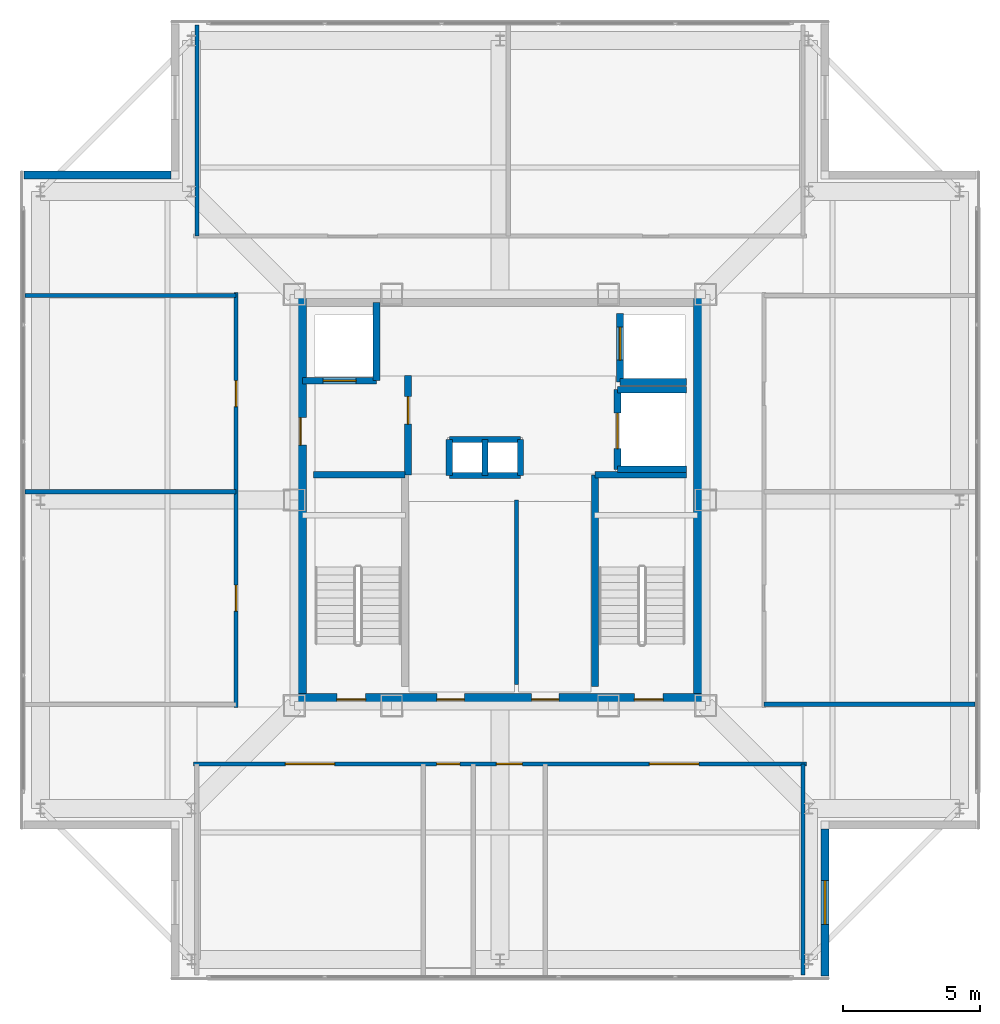
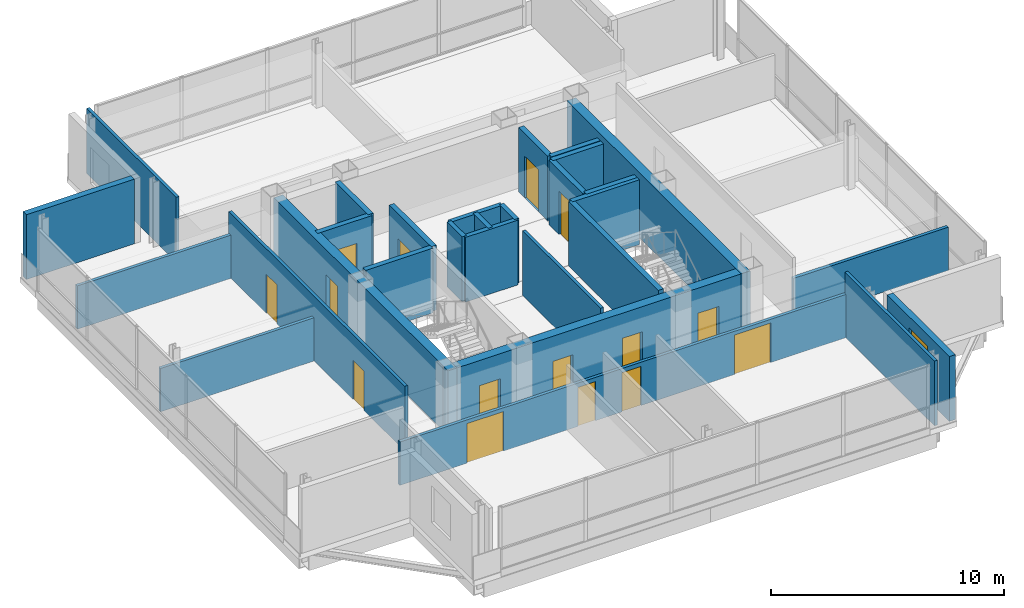
# One storey, part 9 of 12: 29 walls, 15 doors, 1 window, 16 openings.
"""IFC4 building model written with IfcOpenShell, lengths in metres."""

from ifc_helpers import new_model, si_unit, direction, frame, frame_2d, origin, place, context, subcontext, project, spatial, rectangle, extrude, material, layer, layer_set, type_object, element, fill, save


model = new_model("IFC4")

# Units and contexts
model_context = context("Model", 3, precision=1e-05, world=origin(), true_north=direction((0.0, 1.0)))
body_context = subcontext(model_context, "Body", "Model", "MODEL_VIEW")
ifc_project = project(units=[si_unit("LENGTHUNIT", "METRE"), si_unit("AREAUNIT", "SQUARE_METRE"), si_unit("VOLUMEUNIT", "CUBIC_METRE"), si_unit("PLANEANGLEUNIT", "RADIAN"), si_unit("MASSUNIT", "GRAM", prefix="KILO")], contexts=[model_context])

# Site, building, storey
site_placement = place(None, origin())
site = spatial("IfcSite", under=ifc_project, at=site_placement, CompositionType="ELEMENT")
building_placement = place(site_placement, origin())
building = spatial("IfcBuilding", under=site, at=building_placement, Name="Trevonay Congress Spire", CompositionType="ELEMENT")
storey_placement = place(building_placement, frame((0.0, 0.0, 304.60009765625)))
storey = spatial("IfcBuildingStorey", under=building, at=storey_placement, Name="L80", CompositionType="ELEMENT", Elevation=304.60009765625)

# Wall, openings, doors
ifc_material_1 = material(Name="Concrete C50/60", Category="concrete")
ifc_layer_1 = layer(ifc_material_1, 0.449951171875, Name="Concrete C50/60")
ifc_layer_set_1 = layer_set([ifc_layer_1], Name="Concrete C50/60")
wall_type_1 = type_object("IfcWallType", Name="WAL-CORE-450", PredefinedType="SHEAR", material=ifc_layer_set_1)
wall_1_placement = place(storey_placement, frame((-7.5, -7.27490234375, 0.0), z_axis=(0.0, 0.0, 1.0), x_axis=(1.0, 0.0, 0.0)))
wall_1 = element("IfcWall", 1, at=wall_1_placement, inside=storey, type_object=wall_type_1, Name="L80 South structural core shear wall", PredefinedType="SHEAR", context=body_context, shape_type="SweptSolid", body=[
    extrude(rectangle(XDim=15.0, YDim=0.449951171875, at=frame_2d((7.5, 0.0))), origin(), (0.0, 0.0, 1.0), 3.39990234375),
])
opening_1_placement = place(wall_1_placement, frame((1.550048828125, 0.0, 0.0)))
opening_1 = element("IfcOpeningElement", 2, at=opening_1_placement, cuts=wall_1, Name="Opening D05", PredefinedType="OPENING", context=body_context, shape_type="SweptSolid", body=[
    extrude(rectangle(XDim=1.050048828125, YDim=2.080078125, at=frame_2d((0.52490234375, 1.0400390625))), frame((0.0, 0.23486328125, 0.0), z_axis=(0.0, -1.0, 0.0), x_axis=(1.0, 0.0, 0.0)), (0.0, 0.0, 1.0), 0.469970703125),
])
opening_2_placement = place(wall_1_placement, frame((12.39990234375, 0.0, 0.0)))
opening_2 = element("IfcOpeningElement", 3, at=opening_2_placement, cuts=wall_1, Name="Opening D05", PredefinedType="OPENING", context=body_context, shape_type="SweptSolid", body=[
    extrude(rectangle(XDim=1.050048828125, YDim=2.080078125, at=frame_2d((0.52490234375, 1.0400390625))), frame((0.0, 0.23486328125, 0.0), z_axis=(0.0, -1.0, 0.0), x_axis=(1.0, 0.0, 0.0)), (0.0, 0.0, 1.0), 0.469970703125),
])
opening_3_placement = place(wall_1_placement, frame((5.199951171875, 0.0, 0.0)))
opening_3 = element("IfcOpeningElement", 4, at=opening_3_placement, cuts=wall_1, Name="Opening D06", PredefinedType="OPENING", context=body_context, shape_type="SweptSolid", body=[
    extrude(rectangle(XDim=1.0, YDim=2.080078125, at=frame_2d((0.5, 1.0400390625))), frame((0.0, 0.23486328125, 0.0), z_axis=(0.0, -1.0, 0.0), x_axis=(1.0, 0.0, 0.0)), (0.0, 0.0, 1.0), 0.469970703125),
])
opening_4_placement = place(wall_1_placement, frame((8.64990234375, 0.0, 0.0)))
opening_4 = element("IfcOpeningElement", 5, at=opening_4_placement, cuts=wall_1, Name="Opening D06", PredefinedType="OPENING", context=body_context, shape_type="SweptSolid", body=[
    extrude(rectangle(XDim=1.0, YDim=2.080078125, at=frame_2d((0.5, 1.0400390625))), frame((0.0, 0.23486328125, 0.0), z_axis=(0.0, -1.0, 0.0), x_axis=(1.0, 0.0, 0.0)), (0.0, 0.0, 1.0), 0.469970703125),
])
ifc_material_2 = material(Name="Steel ASTM A572 Grade 50", Category="steel")
door_type_1 = type_object("IfcDoorType", Name="DOR-FIRE-100", OperationType="NOTDEFINED", PredefinedType="DOOR", material=ifc_material_2)
door_1_placement = place(opening_3_placement, origin())
door_1 = element("IfcDoor", 6, at=door_1_placement, inside=storey, type_object=door_type_1, Name="L80 South Core Room 1 Door", OperationType="SINGLE_SWING_LEFT", OverallHeight=2.080078125, OverallWidth=1.0, PredefinedType="DOOR", context=body_context, shape_type="SweptSolid", body=[
    extrude(rectangle(XDim=1.0, YDim=2.080078125, at=frame_2d((0.5, 1.0400390625))), frame((0.0, 0.02490234375, 0.0), z_axis=(0.0, -1.0, 0.0), x_axis=(1.0, 0.0, 0.0)), (0.0, 0.0, 1.0), 0.050048828125),
])
fill(opening_3, door_1)
door_2_placement = place(opening_4_placement, origin())
door_2 = element("IfcDoor", 7, at=door_2_placement, inside=storey, type_object=door_type_1, Name="L80 South Core Room 2 Door", OperationType="SINGLE_SWING_RIGHT", OverallHeight=2.080078125, OverallWidth=1.0, PredefinedType="DOOR", context=body_context, shape_type="SweptSolid", body=[
    extrude(rectangle(XDim=1.0, YDim=2.080078125, at=frame_2d((0.5, 1.0400390625))), frame((0.0, 0.02490234375, 0.0), z_axis=(0.0, -1.0, 0.0), x_axis=(1.0, 0.0, 0.0)), (0.0, 0.0, 1.0), 0.050048828125),
])
fill(opening_4, door_2)
door_type_2 = type_object("IfcDoorType", Name="DOR-STAIR-110", OperationType="NOTDEFINED", PredefinedType="DOOR", material=ifc_material_2)
door_3_placement = place(opening_1_placement, origin())
door_3 = element("IfcDoor", 8, at=door_3_placement, inside=storey, type_object=door_type_2, Name="L80 Protected Stair ST-1 Door", OperationType="SINGLE_SWING_RIGHT", OverallHeight=2.080078125, OverallWidth=1.050048828125, PredefinedType="DOOR", context=body_context, shape_type="SweptSolid", body=[
    extrude(rectangle(XDim=1.050048828125, YDim=2.080078125, at=frame_2d((0.52490234375, 1.0400390625))), frame((0.0, 0.02490234375, 0.0), z_axis=(0.0, -1.0, 0.0), x_axis=(1.0, 0.0, 0.0)), (0.0, 0.0, 1.0), 0.050048828125),
])
fill(opening_1, door_3)
door_4_placement = place(opening_2_placement, origin())
door_4 = element("IfcDoor", 9, at=door_4_placement, inside=storey, type_object=door_type_2, Name="L80 Protected Stair ST-2 Door", OperationType="SINGLE_SWING_LEFT", OverallHeight=2.080078125, OverallWidth=1.050048828125, PredefinedType="DOOR", context=body_context, shape_type="SweptSolid", body=[
    extrude(rectangle(XDim=1.050048828125, YDim=2.080078125, at=frame_2d((0.52490234375, 1.0400390625))), frame((0.0, 0.02490234375, 0.0), z_axis=(0.0, -1.0, 0.0), x_axis=(1.0, 0.0, 0.0)), (0.0, 0.0, 1.0), 0.050048828125),
])
fill(opening_2, door_4)

# Wall, opening, door
wall_2_placement = place(storey_placement, frame((-7.27490234375, -7.5, 0.0), z_axis=(0.0, 0.0, 1.0), x_axis=(0.0, 1.0, 0.0)))
wall_2 = element("IfcWall", 10, at=wall_2_placement, inside=storey, type_object=wall_type_1, Name="L80 West structural core shear wall", PredefinedType="SHEAR", context=body_context, shape_type="SweptSolid", body=[
    extrude(rectangle(XDim=15.0, YDim=0.449951171875, at=frame_2d((7.5, 0.0))), origin(), (0.0, 0.0, 1.0), 3.39990234375),
])
opening_5_placement = place(wall_2_placement, frame((9.5, 0.0, 0.0)))
opening_5 = element("IfcOpeningElement", 11, at=opening_5_placement, cuts=wall_2, Name="Opening D06", PredefinedType="OPENING", context=body_context, shape_type="SweptSolid", body=[
    extrude(rectangle(XDim=1.0, YDim=2.080078125, at=frame_2d((0.5, 1.0400390625))), frame((0.0, 0.23486328125, 0.0), z_axis=(0.0, -1.0, 0.0), x_axis=(1.0, 0.0, 0.0)), (0.0, 0.0, 1.0), 0.469970703125),
])
door_5_placement = place(opening_5_placement, origin())
door_5 = element("IfcDoor", 12, at=door_5_placement, inside=storey, type_object=door_type_1, Name="L80 Firefighting Lift Lobby West Corridor Door", OperationType="SINGLE_SWING_RIGHT", OverallHeight=2.080078125, OverallWidth=1.0, PredefinedType="DOOR", context=body_context, shape_type="SweptSolid", body=[
    extrude(rectangle(XDim=1.0, YDim=2.080078125, at=frame_2d((0.5, 1.0400390625))), frame((0.0, 0.02490234375, 0.0), z_axis=(0.0, -1.0, 0.0), x_axis=(1.0, 0.0, 0.0)), (0.0, 0.0, 1.0), 0.050048828125),
])
fill(opening_5, door_5)

# Wall
wall_3_placement = place(storey_placement, frame((7.27490234375, -7.5, 0.0), z_axis=(0.0, 0.0, 1.0), x_axis=(0.0, 1.0, 0.0)))
element("IfcWall", 13, at=wall_3_placement, inside=storey, type_object=wall_type_1, Name="L80 East structural core shear wall", PredefinedType="SHEAR", context=body_context, shape_type="SweptSolid", body=[
    extrude(rectangle(XDim=15.0, YDim=0.449951171875, at=frame_2d((7.5, 0.0))), origin(), (0.0, 0.0, 1.0), 3.39990234375),
])

# Wall, openings, doors
ifc_material_3 = material(Name="Concrete C40/50", Category="concrete")
ifc_layer_2 = layer(ifc_material_3, 0.14990234375, Name="Concrete C40/50")
ifc_layer_set_2 = layer_set([ifc_layer_2], Name="Concrete C40/50")
wall_type_2 = type_object("IfcWallType", Name="WAL-CORR-150", PredefinedType="PARTITIONING", material=ifc_layer_set_2)
wall_4_placement = place(storey_placement, frame((-11.169921875, -9.6201171875, 0.0), z_axis=(0.0, 0.0, 1.0), x_axis=(1.0, 0.0, 0.0)))
wall_4 = element("IfcWall", 14, at=wall_4_placement, inside=storey, type_object=wall_type_2, Name="L80 interior wall WP-L80S-COR", PredefinedType="PARTITIONING", context=body_context, shape_type="SweptSolid", body=[
    extrude(rectangle(XDim=22.33984375, YDim=0.14990234375, at=frame_2d((11.169921875, 0.0))), origin(), (0.0, 0.0, 1.0), 2.27490234375),
])
opening_6_placement = place(wall_4_placement, frame((3.344970703125, 0.0, 0.0)))
opening_6 = element("IfcOpeningElement", 15, at=opening_6_placement, cuts=wall_4, Name="Opening D09", PredefinedType="OPENING", context=body_context, shape_type="SweptSolid", body=[
    extrude(rectangle(XDim=1.800048828125, YDim=2.080078125, at=frame_2d((0.89990234375, 1.0400390625))), frame((0.0, 0.0849609375, 0.0), z_axis=(0.0, -1.0, 0.0), x_axis=(1.0, 0.0, 0.0)), (0.0, 0.0, 1.0), 0.169921875),
])
opening_7_placement = place(wall_4_placement, frame((8.860107421875, 0.0, 0.0)))
opening_7 = element("IfcOpeningElement", 16, at=opening_7_placement, cuts=wall_4, Name="Opening D10", PredefinedType="OPENING", context=body_context, shape_type="SweptSolid", body=[
    extrude(rectangle(XDim=0.85009765625, YDim=2.050048828125, at=frame_2d((0.425048828125, 1.02490234375))), frame((0.0, 0.0849609375, 0.0), z_axis=(0.0, -1.0, 0.0), x_axis=(1.0, 0.0, 0.0)), (0.0, 0.0, 1.0), 0.169921875),
])
opening_8_placement = place(wall_4_placement, frame((11.034912109375, 0.0, 0.0)))
opening_8 = element("IfcOpeningElement", 17, at=opening_8_placement, cuts=wall_4, Name="Opening D07", PredefinedType="OPENING", context=body_context, shape_type="SweptSolid", body=[
    extrude(rectangle(XDim=0.949951171875, YDim=2.06005859375, at=frame_2d((0.47509765625, 1.030029296875))), frame((0.0, 0.0849609375, 0.0), z_axis=(0.0, -1.0, 0.0), x_axis=(1.0, 0.0, 0.0)), (0.0, 0.0, 1.0), 0.169921875),
])
opening_9_placement = place(wall_4_placement, frame((16.6201171875, 0.0, 0.0)))
opening_9 = element("IfcOpeningElement", 18, at=opening_9_placement, cuts=wall_4, Name="Opening D09", PredefinedType="OPENING", context=body_context, shape_type="SweptSolid", body=[
    extrude(rectangle(XDim=1.800048828125, YDim=2.080078125, at=frame_2d((0.89990234375, 1.0400390625))), frame((0.0, 0.0849609375, 0.0), z_axis=(0.0, -1.0, 0.0), x_axis=(1.0, 0.0, 0.0)), (0.0, 0.0, 1.0), 0.169921875),
])
ifc_material_4 = material(Name="Pale Anodised Aluminium EN AW-6063-T6", Category="aluminium")
door_type_3 = type_object("IfcDoorType", Name="DOR-CONF-DBL", OperationType="DOUBLE_DOOR_SINGLE_SWING", PredefinedType="DOOR", material=ifc_material_4)
door_6_placement = place(opening_6_placement, origin())
door_6 = element("IfcDoor", 19, at=door_6_placement, inside=storey, type_object=door_type_3, Name="L80 Sky Observatory Salon South Door", OperationType="DOUBLE_DOOR_SINGLE_SWING", OverallHeight=2.080078125, OverallWidth=1.800048828125, PredefinedType="DOOR", context=body_context, shape_type="SweptSolid", body=[
    extrude(rectangle(XDim=1.800048828125, YDim=2.080078125, at=frame_2d((0.89990234375, 1.0400390625))), frame((0.0, 0.02490234375, 0.0), z_axis=(0.0, -1.0, 0.0), x_axis=(1.0, 0.0, 0.0)), (0.0, 0.0, 1.0), 0.050048828125),
])
fill(opening_6, door_6)
door_7_placement = place(opening_9_placement, origin())
door_7 = element("IfcDoor", 20, at=door_7_placement, inside=storey, type_object=door_type_3, Name="L80 Crown Cocktail Bar Door", OperationType="DOUBLE_DOOR_SINGLE_SWING", OverallHeight=2.080078125, OverallWidth=1.800048828125, PredefinedType="DOOR", context=body_context, shape_type="SweptSolid", body=[
    extrude(rectangle(XDim=1.800048828125, YDim=2.080078125, at=frame_2d((0.89990234375, 1.0400390625))), frame((0.0, 0.02490234375, 0.0), z_axis=(0.0, -1.0, 0.0), x_axis=(1.0, 0.0, 0.0)), (0.0, 0.0, 1.0), 0.050048828125),
])
fill(opening_9, door_7)
door_type_4 = type_object("IfcDoorType", Name="DOR-OFFICE-95", OperationType="NOTDEFINED", PredefinedType="DOOR", material=ifc_material_4)
door_8_placement = place(opening_8_placement, origin())
door_8 = element("IfcDoor", 21, at=door_8_placement, inside=storey, type_object=door_type_4, Name="L80 Floor Supplies and Copy Room Door", OperationType="SINGLE_SWING_LEFT", OverallHeight=2.06005859375, OverallWidth=0.949951171875, PredefinedType="DOOR", context=body_context, shape_type="SweptSolid", body=[
    extrude(rectangle(XDim=0.949951171875, YDim=2.06005859375, at=frame_2d((0.47509765625, 1.030029296875))), frame((0.0, 0.02490234375, 0.0), z_axis=(0.0, -1.0, 0.0), x_axis=(1.0, 0.0, 0.0)), (0.0, 0.0, 1.0), 0.050048828125),
])
fill(opening_8, door_8)
door_type_5 = type_object("IfcDoorType", Name="DOR-WC-85", OperationType="NOTDEFINED", PredefinedType="DOOR", material=ifc_material_4)
door_9_placement = place(opening_7_placement, origin())
door_9 = element("IfcDoor", 22, at=door_9_placement, inside=storey, type_object=door_type_5, Name="L80 Accessible WC Door", OperationType="SINGLE_SWING_RIGHT", OverallHeight=2.050048828125, OverallWidth=0.85009765625, PredefinedType="DOOR", context=body_context, shape_type="SweptSolid", body=[
    extrude(rectangle(XDim=0.85009765625, YDim=2.050048828125, at=frame_2d((0.425048828125, 1.02490234375))), frame((0.0, 0.02490234375, 0.0), z_axis=(0.0, -1.0, 0.0), x_axis=(1.0, 0.0, 0.0)), (0.0, 0.0, 1.0), 0.050048828125),
])
fill(opening_7, door_9)

wall_5_placement = place(storey_placement, frame((-9.6201171875, -7.570068359375, 0.0), z_axis=(0.0, 0.0, 1.0), x_axis=(0.0, 1.0, 0.0)))
wall_5 = element("IfcWall", 23, at=wall_5_placement, inside=storey, type_object=wall_type_2, Name="L80 interior wall WP-L80W-COR", PredefinedType="PARTITIONING", context=body_context, shape_type="SweptSolid", body=[
    extrude(rectangle(XDim=15.14013671875, YDim=0.14990234375, at=frame_2d((7.570068359375, 0.0))), origin(), (0.0, 0.0, 1.0), 3.39990234375),
])
opening_10_placement = place(wall_5_placement, frame((3.52001953125, 0.0, 0.0)))
opening_10 = element("IfcOpeningElement", 24, at=opening_10_placement, cuts=wall_5, Name="Opening D07", PredefinedType="OPENING", context=body_context, shape_type="SweptSolid", body=[
    extrude(rectangle(XDim=0.949951171875, YDim=2.06005859375, at=frame_2d((0.47509765625, 1.030029296875))), frame((0.0, 0.0849609375, 0.0), z_axis=(0.0, -1.0, 0.0), x_axis=(1.0, 0.0, 0.0)), (0.0, 0.0, 1.0), 0.169921875),
])
opening_11_placement = place(wall_5_placement, frame((10.969970703125, 0.0, 0.0)))
opening_11 = element("IfcOpeningElement", 25, at=opening_11_placement, cuts=wall_5, Name="Opening D07", PredefinedType="OPENING", context=body_context, shape_type="SweptSolid", body=[
    extrude(rectangle(XDim=0.949951171875, YDim=2.06005859375, at=frame_2d((0.47509765625, 1.030029296875))), frame((0.0, 0.0849609375, 0.0), z_axis=(0.0, -1.0, 0.0), x_axis=(1.0, 0.0, 0.0)), (0.0, 0.0, 1.0), 0.169921875),
])
door_10_placement = place(opening_10_placement, origin())
door_10 = element("IfcDoor", 26, at=door_10_placement, inside=storey, type_object=door_type_4, Name="L80 VIP Summit Reception Suite Door", OperationType="SINGLE_SWING_LEFT", OverallHeight=2.06005859375, OverallWidth=0.949951171875, PredefinedType="DOOR", context=body_context, shape_type="SweptSolid", body=[
    extrude(rectangle(XDim=0.949951171875, YDim=2.06005859375, at=frame_2d((0.47509765625, 1.030029296875))), frame((0.0, 0.02490234375, 0.0), z_axis=(0.0, -1.0, 0.0), x_axis=(1.0, 0.0, 0.0)), (0.0, 0.0, 1.0), 0.050048828125),
])
fill(opening_10, door_10)
door_11_placement = place(opening_11_placement, origin())
door_11 = element("IfcDoor", 27, at=door_11_placement, inside=storey, type_object=door_type_4, Name="L80 Catering Finishing Kitchen Door", OperationType="SINGLE_SWING_RIGHT", OverallHeight=2.06005859375, OverallWidth=0.949951171875, PredefinedType="DOOR", context=body_context, shape_type="SweptSolid", body=[
    extrude(rectangle(XDim=0.949951171875, YDim=2.06005859375, at=frame_2d((0.47509765625, 1.030029296875))), frame((0.0, 0.02490234375, 0.0), z_axis=(0.0, -1.0, 0.0), x_axis=(1.0, 0.0, 0.0)), (0.0, 0.0, 1.0), 0.050048828125),
])
fill(opening_11, door_11)

# Wall, opening, window
ifc_material_5 = material(Name="Precast concrete C40/50", Category="concrete")
ifc_layer_3 = layer(ifc_material_5, 0.300048828125, Name="Precast concrete C40/50")
ifc_layer_set_3 = layer_set([ifc_layer_3], Name="Precast concrete C40/50")
wall_type_3 = type_object("IfcWallType", Name="WAL-EXT-PRECAST-300", PredefinedType="SOLIDWALL", material=ifc_layer_set_3)
wall_6_placement = place(storey_placement, frame((11.85009765625, -17.35009765625, 0.0), z_axis=(0.0, 0.0, 1.0), x_axis=(0.0, 1.0, 0.0)))
wall_6 = element("IfcWall", 28, at=wall_6_placement, inside=storey, type_object=wall_type_3, Name="L80 SE re-entrant notch exterior wall 1", PredefinedType="SOLIDWALL", context=body_context, shape_type="SweptSolid", body=[
    extrude(rectangle(XDim=5.35009765625, YDim=0.300048828125, at=frame_2d((2.675048828125, 0.0))), origin(), (0.0, 0.0, 1.0), 3.39990234375),
])
opening_12_placement = place(wall_6_placement, frame((1.875, 0.0, 0.89990234375)))
opening_12 = element("IfcOpeningElement", 29, at=opening_12_placement, cuts=wall_6, Name="Opening WN04", PredefinedType="OPENING", context=body_context, shape_type="SweptSolid", body=[
    extrude(rectangle(XDim=1.60009765625, YDim=1.89990234375, at=frame_2d((0.800048828125, 0.949951171875))), frame((0.0, 0.16015625, 0.0), z_axis=(0.0, -1.0, 0.0), x_axis=(1.0, 0.0, 0.0)), (0.0, 0.0, 1.0), 0.320068359375),
])
ifc_material_6 = material(Name="Insulated Low-E Vision Glass IGU", Category="glass")
window_type = type_object("IfcWindowType", Name="WIN-CROWN-160X190", PartitioningType="SINGLE_PANEL", PredefinedType="WINDOW", material=ifc_material_6)
window_placement = place(opening_12_placement, origin())
window = element("IfcWindow", 30, at=window_placement, inside=storey, type_object=window_type, Name="L80 SE corner notch window", OverallHeight=1.89990234375, OverallWidth=1.60009765625, PartitioningType="SINGLE_PANEL", PredefinedType="WINDOW", context=body_context, shape_type="SweptSolid", body=[
    extrude(rectangle(XDim=1.60009765625, YDim=1.89990234375, at=frame_2d((0.800048828125, 0.949951171875))), frame((0.0, 0.030029296875, 0.0), z_axis=(0.0, -1.0, 0.0), x_axis=(1.0, 0.0, 0.0)), (0.0, 0.0, 1.0), 0.06005859375),
])
fill(opening_12, window)

# Walls
wall_7_placement = place(storey_placement, frame((-17.35009765625, 11.85009765625, 0.0), z_axis=(0.0, 0.0, 1.0), x_axis=(1.0, 0.0, 0.0)))
element("IfcWall", 31, at=wall_7_placement, inside=storey, type_object=wall_type_3, Name="L80 NW re-entrant notch exterior wall 2", PredefinedType="SOLIDWALL", context=body_context, shape_type="SweptSolid", body=[
    extrude(rectangle(XDim=5.35009765625, YDim=0.300048828125, at=frame_2d((2.675048828125, 0.0))), origin(), (0.0, 0.0, 1.0), 3.39990234375),
])
ifc_layer_4 = layer(ifc_material_3, 0.14990234375, Name="Concrete C40/50")
ifc_layer_set_4 = layer_set([ifc_layer_4], Name="Concrete C40/50")
wall_type_4 = type_object("IfcWallType", Name="WAL-PART-150", PredefinedType="PARTITIONING", material=ifc_layer_set_4)
wall_8_placement = place(storey_placement, frame((0.60009765625, -6.719970703125, 0.0), z_axis=(0.0, 0.0, 1.0), x_axis=(0.0, 1.0, 0.0)))
element("IfcWall", 32, at=wall_8_placement, inside=storey, type_object=wall_type_4, Name="L80 interior wall CW-F1V-L80", PredefinedType="PARTITIONING", context=body_context, shape_type="SweptSolid", body=[
    extrude(rectangle(XDim=6.719970703125, YDim=0.14990234375, at=frame_2d((3.35986328125, 0.0))), origin(), (0.0, 0.0, 1.0), 3.39990234375),
])
for number, where, z_axis, x_axis, name in (
    (33, (11.050048828125, -17.320068359375, 0.0), (0.0, 0.0, 1.0), (0.0, 1.0, 0.0), "L80 interior wall WP-L80S-DIV4"),
    (34, (-11.050048828125, 9.6201171875, 0.0), (0.0, 0.0, 1.0), (0.0, 1.0, 0.0), "L80 interior wall WP-L80N-DIV1"),
):
    element("IfcWall", number, at=place(storey_placement, frame(where, z_axis=z_axis, x_axis=x_axis)), inside=storey, type_object=wall_type_4, Name=name, PredefinedType="PARTITIONING", context=body_context, shape_type="SweptSolid", body=[
        extrude(rectangle(XDim=7.699951171875, YDim=0.14990234375, at=frame_2d((3.85009765625, 0.0))), origin(), (0.0, 0.0, 1.0), 3.39990234375),
    ])
for number, where, z_axis, x_axis, name in (
    (35, (-17.320068359375, 0.300048828125, 0.0), (0.0, 0.0, 1.0), (1.0, 0.0, 0.0), "L80 interior wall WP-L80W-DIV2"),
    (36, (-17.320068359375, 7.449951171875, 0.0), (0.0, 0.0, 1.0), (1.0, 0.0, 0.0), "L80 interior wall WP-L80W-DIV3"),
):
    element("IfcWall", number, at=place(storey_placement, frame(where, z_axis=z_axis, x_axis=x_axis)), inside=storey, type_object=wall_type_4, Name=name, PredefinedType="PARTITIONING", context=body_context, shape_type="SweptSolid", body=[
        extrude(rectangle(XDim=7.699951171875, YDim=0.14990234375, at=frame_2d((3.85009765625, 0.0))), origin(), (0.0, 0.0, 1.0), 2.27490234375),
    ])
ifc_layer_5 = layer(ifc_material_3, 0.219970703125, Name="Concrete C40/50")
ifc_layer_set_5 = layer_set([ifc_layer_5], Name="Concrete C40/50")
wall_type_5 = type_object("IfcWallType", Name="WAL-SHAFT-220", PredefinedType="PARTITIONING", material=ifc_layer_set_5)
for number, where, z_axis, x_axis, name in (
    (37, (-1.85009765625, 2.199951171875, 0.0), (0.0, 0.0, 1.0), (1.0, 0.0, 0.0), "L80 interior shaft wall WSH-L80-RSR-N"),
    (38, (-1.85009765625, 0.89990234375, 0.0), (0.0, 0.0, 1.0), (1.0, 0.0, 0.0), "L80 interior shaft wall WSH-L80-RSR-S"),
):
    element("IfcWall", number, at=place(storey_placement, frame(where, z_axis=z_axis, x_axis=x_axis)), inside=storey, type_object=wall_type_5, Name=name, PredefinedType="PARTITIONING", context=body_context, shape_type="SweptSolid", body=[
        extrude(rectangle(XDim=2.60009765625, YDim=0.219970703125, at=frame_2d((1.300048828125, 0.0))), origin(), (0.0, 0.0, 1.0), 3.39990234375),
    ])
for number, where, z_axis, x_axis, name in (
    (39, (-0.550048828125, 0.89990234375, 0.0), (0.0, 0.0, 1.0), (0.0, 1.0, 0.0), "L80 interior shaft wall WSH-L80-RSR-M"),
    (40, (0.75, 0.89990234375, 0.0), (0.0, 0.0, 1.0), (0.0, 1.0, 0.0), "L80 interior shaft wall WSH-L80-RSR-E"),
    (41, (-1.85009765625, 0.89990234375, 0.0), (0.0, 0.0, 1.0), (0.0, 1.0, 0.0), "L80 interior shaft wall WSH-L80-RSR-W"),
):
    element("IfcWall", number, at=place(storey_placement, frame(where, z_axis=z_axis, x_axis=x_axis)), inside=storey, type_object=wall_type_5, Name=name, PredefinedType="PARTITIONING", context=body_context, shape_type="SweptSolid", body=[
        extrude(rectangle(XDim=1.300048828125, YDim=0.219970703125, at=frame_2d((0.64990234375, 0.0))), origin(), (0.0, 0.0, 1.0), 3.39990234375),
    ])

# Wall, opening, door
ifc_layer_6 = layer(ifc_material_3, 0.25, Name="Concrete C40/50")
ifc_layer_set_6 = layer_set([ifc_layer_6], Name="Concrete C40/50")
wall_type_6 = type_object("IfcWallType", Name="WAL-SHAFT-250", PredefinedType="SHEAR", material=ifc_layer_set_6)
wall_9_placement = place(storey_placement, frame((-7.199951171875, 4.35009765625, 0.0), z_axis=(0.0, 0.0, 1.0), x_axis=(1.0, 0.0, 0.0)))
wall_9 = element("IfcWall", 42, at=wall_9_placement, inside=storey, type_object=wall_type_6, Name="L80 interior shaft wall WSH-L80-FF1-S", PredefinedType="SHEAR", context=body_context, shape_type="SweptSolid", body=[
    extrude(rectangle(XDim=2.699951171875, YDim=0.25, at=frame_2d((1.35009765625, 0.0))), origin(), (0.0, 0.0, 1.0), 3.39990234375),
])
opening_13_placement = place(wall_9_placement, frame((0.75, 0.0, 0.0)))
opening_13 = element("IfcOpeningElement", 43, at=opening_13_placement, cuts=wall_9, Name="Opening LD04", PredefinedType="OPENING", context=body_context, shape_type="SweptSolid", body=[
    extrude(rectangle(XDim=1.199951171875, YDim=2.199951171875, at=frame_2d((0.60009765625, 1.10009765625))), frame((0.0, 0.135009765625, 0.0), z_axis=(0.0, -1.0, 0.0), x_axis=(1.0, 0.0, 0.0)), (0.0, 0.0, 1.0), 0.27001953125),
])
door_type_6 = type_object("IfcDoorType", Name="DOR-LIFT-LD04", OperationType="DOUBLE_DOOR_SLIDING", PredefinedType="DOOR", material=ifc_material_2)
door_12_placement = place(opening_13_placement, origin())
door_12 = element("IfcDoor", 44, at=door_12_placement, inside=storey, type_object=door_type_6, Name="L80 Firefighting lift FFL-01 landing door", OperationType="DOUBLE_DOOR_SLIDING", OverallHeight=2.199951171875, OverallWidth=1.199951171875, PredefinedType="DOOR", context=body_context, shape_type="SweptSolid", body=[
    extrude(rectangle(XDim=1.199951171875, YDim=2.199951171875, at=frame_2d((0.60009765625, 1.10009765625))), frame((0.0, 0.02490234375, 0.0), z_axis=(0.0, -1.0, 0.0), x_axis=(1.0, 0.0, 0.0)), (0.0, 0.0, 1.0), 0.050048828125),
])
fill(opening_13, door_12)

# Walls
wall_10_placement = place(storey_placement, frame((-4.5, 4.35009765625, 0.0), z_axis=(0.0, 0.0, 1.0), x_axis=(0.0, 1.0, 0.0)))
element("IfcWall", 45, at=wall_10_placement, inside=storey, type_object=wall_type_6, Name="L80 interior shaft wall WSH-L80-FF1-E", PredefinedType="SHEAR", context=body_context, shape_type="SweptSolid", body=[
    extrude(rectangle(XDim=2.849853515625, YDim=0.25, at=frame_2d((1.4248046875, 0.0))), origin(), (0.0, 0.0, 1.0), 3.39990234375),
])
wall_11_placement = place(storey_placement, frame((4.3798828125, 4.300048828125, 0.0), z_axis=(0.0, 0.0, 1.0), x_axis=(1.0, 0.0, 0.0)))
element("IfcWall", 46, at=wall_11_placement, inside=storey, type_object=wall_type_6, Name="L80 interior shaft wall WSH-L80-FF2-S", PredefinedType="SHEAR", context=body_context, shape_type="SweptSolid", body=[
    extrude(rectangle(XDim=2.420166015625, YDim=0.25, at=frame_2d((1.2099609375, 0.0))), origin(), (0.0, 0.0, 1.0), 3.39990234375),
])

# Wall, opening, door
wall_12_placement = place(storey_placement, frame((4.3798828125, 4.300048828125, 0.0), z_axis=(0.0, 0.0, 1.0), x_axis=(0.0, 1.0, 0.0)))
wall_12 = element("IfcWall", 47, at=wall_12_placement, inside=storey, type_object=wall_type_6, Name="L80 interior shaft wall WSH-L80-FF2-W", PredefinedType="SHEAR", context=body_context, shape_type="SweptSolid", body=[
    extrude(rectangle(XDim=2.5, YDim=0.25, at=frame_2d((1.25, 0.0))), origin(), (0.0, 0.0, 1.0), 3.39990234375),
])
opening_14_placement = place(wall_12_placement, frame((0.800048828125, 0.0, 0.0)))
opening_14 = element("IfcOpeningElement", 48, at=opening_14_placement, cuts=wall_12, Name="Opening LD04", PredefinedType="OPENING", context=body_context, shape_type="SweptSolid", body=[
    extrude(rectangle(XDim=1.199951171875, YDim=2.199951171875, at=frame_2d((0.60009765625, 1.10009765625))), frame((0.0, 0.135009765625, 0.0), z_axis=(0.0, -1.0, 0.0), x_axis=(1.0, 0.0, 0.0)), (0.0, 0.0, 1.0), 0.27001953125),
])
door_13_placement = place(opening_14_placement, origin())
door_13 = element("IfcDoor", 49, at=door_13_placement, inside=storey, type_object=door_type_6, Name="L80 Firefighting lift FFL-02 landing door", OperationType="DOUBLE_DOOR_SLIDING", OverallHeight=2.199951171875, OverallWidth=1.199951171875, PredefinedType="DOOR", context=body_context, shape_type="SweptSolid", body=[
    extrude(rectangle(XDim=1.199951171875, YDim=2.199951171875, at=frame_2d((0.60009765625, 1.10009765625))), frame((0.0, 0.02490234375, 0.0), z_axis=(0.0, -1.0, 0.0), x_axis=(1.0, 0.0, 0.0)), (0.0, 0.0, 1.0), 0.050048828125),
])
fill(opening_14, door_13)

wall_13_placement = place(storey_placement, frame((4.280029296875, 1.1201171875, 0.0), z_axis=(0.0, 0.0, 1.0), x_axis=(0.0, 1.0, 0.0)))
wall_13 = element("IfcWall", 50, at=wall_13_placement, inside=storey, type_object=wall_type_6, Name="L80 interior shaft wall WSH-L80-SV-W", PredefinedType="SHEAR", context=body_context, shape_type="SweptSolid", body=[
    extrude(rectangle(XDim=2.89990234375, YDim=0.25, at=frame_2d((1.449951171875, 0.0))), origin(), (0.0, 0.0, 1.0), 3.39990234375),
])
opening_15_placement = place(wall_13_placement, frame((0.75, 0.0, 0.0)))
opening_15 = element("IfcOpeningElement", 51, at=opening_15_placement, cuts=wall_13, Name="Opening LD05", PredefinedType="OPENING", context=body_context, shape_type="SweptSolid", body=[
    extrude(rectangle(XDim=1.300048828125, YDim=2.300048828125, at=frame_2d((0.64990234375, 1.14990234375))), frame((0.0, 0.135009765625, 0.0), z_axis=(0.0, -1.0, 0.0), x_axis=(1.0, 0.0, 0.0)), (0.0, 0.0, 1.0), 0.27001953125),
])
door_type_7 = type_object("IfcDoorType", Name="DOR-LIFT-LD05", OperationType="DOUBLE_DOOR_SLIDING", PredefinedType="DOOR", material=ifc_material_2)
door_14_placement = place(opening_15_placement, origin())
door_14 = element("IfcDoor", 52, at=door_14_placement, inside=storey, type_object=door_type_7, Name="L80 Goods lift SVL-01 landing door", OperationType="DOUBLE_DOOR_SLIDING", OverallHeight=2.300048828125, OverallWidth=1.300048828125, PredefinedType="DOOR", context=body_context, shape_type="SweptSolid", body=[
    extrude(rectangle(XDim=1.300048828125, YDim=2.300048828125, at=frame_2d((0.64990234375, 1.14990234375))), frame((0.0, 0.02490234375, 0.0), z_axis=(0.0, -1.0, 0.0), x_axis=(1.0, 0.0, 0.0)), (0.0, 0.0, 1.0), 0.050048828125),
])
fill(opening_15, door_14)

# Walls
for number, where, z_axis, x_axis, name in (
    (53, (4.280029296875, 1.1201171875, 0.0), (0.0, 0.0, 1.0), (1.0, 0.0, 0.0), "L80 interior shaft wall WSH-L80-SV-S"),
    (54, (4.280029296875, 4.02001953125, 0.0), (0.0, 0.0, 1.0), (1.0, 0.0, 0.0), "L80 interior shaft wall WSH-L80-SV-N"),
):
    element("IfcWall", number, at=place(storey_placement, frame(where, z_axis=z_axis, x_axis=x_axis)), inside=storey, type_object=wall_type_6, Name=name, PredefinedType="SHEAR", context=body_context, shape_type="SweptSolid", body=[
        extrude(rectangle(XDim=2.52001953125, YDim=0.25, at=frame_2d((1.260009765625, 0.0))), origin(), (0.0, 0.0, 1.0), 3.39990234375),
    ])

# Wall, opening, door
wall_14_placement = place(storey_placement, frame((-3.35009765625, 0.919921875, 0.0), z_axis=(0.0, 0.0, 1.0), x_axis=(0.0, 1.0, 0.0)))
wall_14 = element("IfcWall", 55, at=wall_14_placement, inside=storey, type_object=wall_type_6, Name="L80 interior wall CW-FFLW-E-L80", PredefinedType="SHEAR", context=body_context, shape_type="SweptSolid", body=[
    extrude(rectangle(XDim=3.6201171875, YDim=0.25, at=frame_2d((1.81005859375, 0.0))), origin(), (0.0, 0.0, 1.0), 3.39990234375),
])
opening_16_placement = place(wall_14_placement, frame((1.85009765625, 0.0, 0.0)))
opening_16 = element("IfcOpeningElement", 56, at=opening_16_placement, cuts=wall_14, Name="Opening D06", PredefinedType="OPENING", context=body_context, shape_type="SweptSolid", body=[
    extrude(rectangle(XDim=1.0, YDim=2.080078125, at=frame_2d((0.5, 1.0400390625))), frame((0.0, 0.135009765625, 0.0), z_axis=(0.0, -1.0, 0.0), x_axis=(1.0, 0.0, 0.0)), (0.0, 0.0, 1.0), 0.27001953125),
])
door_15_placement = place(opening_16_placement, origin())
door_15 = element("IfcDoor", 57, at=door_15_placement, inside=storey, type_object=door_type_1, Name="L80 Firefighting Core Lobby Transfer Door", OperationType="SINGLE_SWING_LEFT", OverallHeight=2.080078125, OverallWidth=1.0, PredefinedType="DOOR", context=body_context, shape_type="SweptSolid", body=[
    extrude(rectangle(XDim=1.0, YDim=2.080078125, at=frame_2d((0.5, 1.0400390625))), frame((0.0, 0.02490234375, 0.0), z_axis=(0.0, -1.0, 0.0), x_axis=(1.0, 0.0, 0.0)), (0.0, 0.0, 1.0), 0.050048828125),
])
fill(opening_16, door_15)

# Walls
ifc_layer_7 = layer(ifc_material_3, 0.25, Name="Concrete C40/50")
ifc_layer_set_7 = layer_set([ifc_layer_7], Name="Concrete C40/50")
wall_type_7 = type_object("IfcWallType", Name="WAL-SHAFT-LB-250", PredefinedType="SHEAR", material=ifc_layer_set_7)
wall_15_placement = place(storey_placement, frame((-6.800048828125, 0.919921875, 0.0), z_axis=(0.0, 0.0, 1.0), x_axis=(1.0, 0.0, 0.0)))
element("IfcWall", 58, at=wall_15_placement, inside=storey, type_object=wall_type_7, Name="L80 interior shaft wall WSH-L80-ST1-N", PredefinedType="SHEAR", context=body_context, shape_type="SweptSolid", body=[
    extrude(rectangle(XDim=3.330078125, YDim=0.25, at=frame_2d((1.6650390625, 0.0))), origin(), (0.0, 0.0, 1.0), 3.39990234375),
])
wall_16_placement = place(storey_placement, frame((3.469970703125, -6.800048828125, 0.0), z_axis=(0.0, 0.0, 1.0), x_axis=(0.0, 1.0, 0.0)))
element("IfcWall", 59, at=wall_16_placement, inside=storey, type_object=wall_type_7, Name="L80 interior shaft wall WSH-L80-ST2-W", PredefinedType="SHEAR", context=body_context, shape_type="SweptSolid", body=[
    extrude(rectangle(XDim=7.719970703125, YDim=0.25, at=frame_2d((3.85986328125, 0.0))), origin(), (0.0, 0.0, 1.0), 3.39990234375),
])
wall_17_placement = place(storey_placement, frame((3.469970703125, 0.919921875, 0.0), z_axis=(0.0, 0.0, 1.0), x_axis=(1.0, 0.0, 0.0)))
element("IfcWall", 60, at=wall_17_placement, inside=storey, type_object=wall_type_7, Name="L80 interior shaft wall WSH-L80-ST2-N", PredefinedType="SHEAR", context=body_context, shape_type="SweptSolid", body=[
    extrude(rectangle(XDim=3.330078125, YDim=0.25, at=frame_2d((1.6650390625, 0.0))), origin(), (0.0, 0.0, 1.0), 3.39990234375),
])
ifc_layer_8 = layer(ifc_material_3, 0.1650390625, Name="Concrete C40/50")
ifc_layer_set_8 = layer_set([ifc_layer_8], Name="Concrete C40/50")
wall_type_8 = type_object("IfcWallType", Name="WAL-WET-165", PredefinedType="PLUMBINGWALL", material=ifc_layer_set_8)
wall_18_placement = place(storey_placement, frame((9.6201171875, -7.449951171875, 0.0), z_axis=(0.0, 0.0, 1.0), x_axis=(1.0, 0.0, 0.0)))
element("IfcWall", 61, at=wall_18_placement, inside=storey, type_object=wall_type_8, Name="L80 interior wall WP-L80E-DIV1", PredefinedType="PLUMBINGWALL", context=body_context, shape_type="SweptSolid", body=[
    extrude(rectangle(XDim=7.699951171875, YDim=0.1650390625, at=frame_2d((3.85009765625, 0.0))), origin(), (0.0, 0.0, 1.0), 2.27490234375),
])

save(model, "model.ifc")
